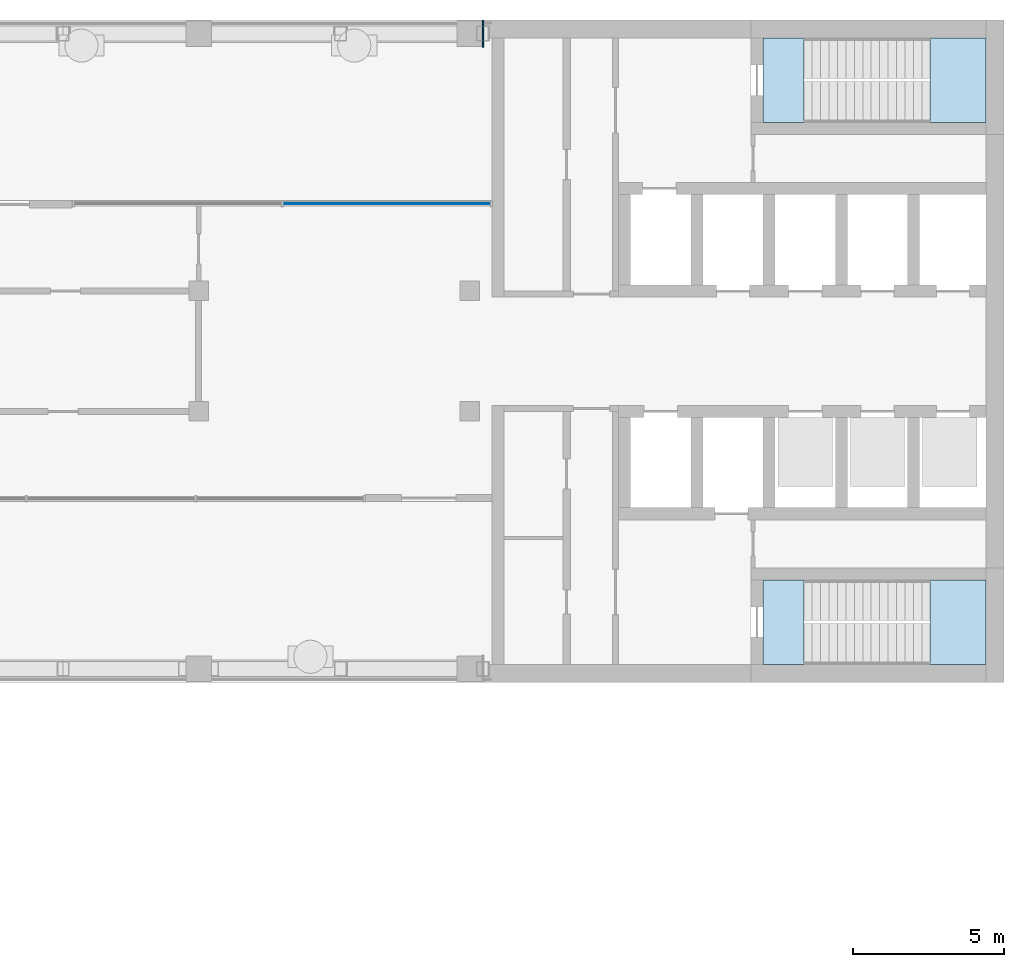
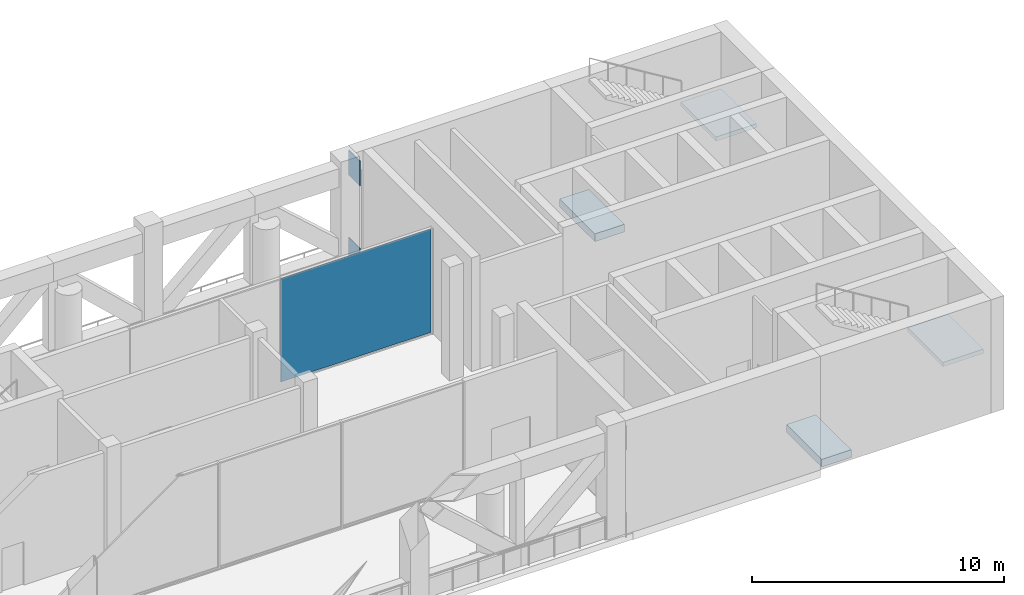
# One storey, part 10 of 19: 4 slabs, 3 plates, 3 elements without a shape of their own.
"""IFC4 building model written with IfcOpenShell, lengths in metres."""

from ifc_helpers import new_model, si_unit, direction, frame, origin, origin_2d, place, context, subcontext, project, spatial, polyline, rectangle, outline, extrude, material, layer, layer_set, type_object, element, aggregate, save


model = new_model("IFC4")

# Units and contexts
model_context = context("Model", 3, precision=1e-05, world=origin(), true_north=direction((0.0, 1.0)))
body_context = subcontext(model_context, "Body", "Model", "MODEL_VIEW")
ifc_project = project(units=[si_unit("LENGTHUNIT", "METRE"), si_unit("AREAUNIT", "SQUARE_METRE"), si_unit("VOLUMEUNIT", "CUBIC_METRE"), si_unit("PLANEANGLEUNIT", "RADIAN"), si_unit("MASSUNIT", "GRAM", prefix="KILO")], contexts=[model_context])

# Site, building, storey
site_placement = place(None, origin())
site = spatial("IfcSite", under=ifc_project, at=site_placement, CompositionType="ELEMENT")
building_placement = place(site_placement, origin())
building = spatial("IfcBuilding", under=site, at=building_placement, Name="Skarvind Civic Tower", CompositionType="ELEMENT")
storey_placement = place(building_placement, frame((0.0, 0.0, 129.0)))
storey = spatial("IfcBuildingStorey", under=building, at=storey_placement, Name="L30", CompositionType="ELEMENT", Elevation=129.0)

# Curtain wall, plate
ifc_material_1 = material(Name="Aluminium alloy 6063 and laminated glass", Category="aluminium")
curtain_wall_type = type_object("IfcCurtainWallType", Name="CW3 SEPARATOR INNER GLAZING", PredefinedType="NOTDEFINED", material=ifc_material_1)
curtain_wall_placement = place(storey_placement, origin())
curtain_wall = element("IfcCurtainWall", 1, at=curtain_wall_placement, inside=storey, type_object=curtain_wall_type, Name="SEPARATOR INNER GLAZING", PredefinedType="NOTDEFINED")
ifc_material_2 = material(Name="Laminated low-iron glass", Category="glass")
ifc_layer_1 = layer(ifc_material_2, 0.031982421875)
ifc_layer_set_1 = layer_set([ifc_layer_1], Name="CW3 GLASS PANEL 32")
plate_type_1 = type_object("IfcPlateType", Name="CW3 GLASS PANEL 32", PredefinedType="CURTAIN_PANEL", material=ifc_layer_set_1)
plate_placement = place(storey_placement, frame((87.49755859375, 132.89990234375, 0.06005859375), z_axis=(0.0, 0.0, 1.0), x_axis=(1.0, 0.0, 0.0)))
plate = element("IfcPlate", 2, at=plate_placement, type_object=plate_type_1, Name="CW3 panel 2.1", PredefinedType="CURTAIN_PANEL", context=body_context, shape_type="SweptSolid", body=[
    extrude(rectangle(XDim=6.885009765625, YDim=0.031982421875, at=origin_2d()), origin(), (0.0, 0.0, 1.0), 5.0048828125),
])
aggregate(curtain_wall, [plate])

# Plates
ifc_material_3 = material(Name="Steel SM355", Category="steel")
ifc_layer_2 = layer(ifc_material_3, 0.0400390625)
ifc_layer_set_2 = layer_set([ifc_layer_2], Name="Cast-in plate 40")
plate_type_2 = type_object("IfcPlateType", Name="Cast-in plate 40", PredefinedType="USERDEFINED", material=ifc_layer_set_2)
for number, where, z_axis, x_axis, name in (
    (3, (90.695068359375, 138.550048828125, -0.14990234375), (0.0, 0.0, 1.0), (1.0, 0.0, 0.0), "Cast-in plate W1N BC 40"),
    (4, (90.695068359375, 138.550048828125, 4.0751953125), (0.0, 0.0, 1.0), (1.0, 0.0, 0.0), "Cast-in plate W1N TC 40"),
):
    element("IfcPlate", number, at=place(storey_placement, frame(where, z_axis=z_axis, x_axis=x_axis)), inside=storey, type_object=plate_type_2, Name=name, ObjectType="CAST-IN PLATE", PredefinedType="USERDEFINED", context=body_context, shape_type="SweptSolid", body=[
        extrude(rectangle(XDim=0.0400390625, YDim=0.89990234375, at=origin_2d()), origin(), (0.0, 0.0, 1.0), 1.199951171875),
    ])

# Slabs
ifc_material_4 = material(Name="Concrete C40/50", Category="concrete")
ifc_layer_3 = layer(ifc_material_4, 0.375)
ifc_layer_set_3 = layer_set([ifc_layer_3], Name="Stair floor landing slab 375")
slab_type_1 = type_object("IfcSlabType", Name="Stair floor landing slab 375", PredefinedType="LANDING", material=ifc_layer_set_3)
slab_1_placement = place(storey_placement, frame((0.0, 0.0, -0.375)))
element("IfcSlab", 5, at=slab_1_placement, inside=storey, type_object=slab_type_1, Name="Stair floor landing", PredefinedType="LANDING", context=body_context, shape_type="SweptSolid", body=[
    extrude(outline(polyline([(101.3505859375, 138.400634765625), (101.3505859375, 135.599365234375), (99.99951171875, 135.599365234375), (99.99951171875, 138.400634765625), (101.3505859375, 138.400634765625)])), origin(), (0.0, 0.0, 1.0), 0.375),
])
slab_2_placement = place(storey_placement, frame((0.0, 0.0, -0.375)))
element("IfcSlab", 6, at=slab_2_placement, inside=storey, type_object=slab_type_1, Name="Stair floor landing", PredefinedType="LANDING", context=body_context, shape_type="SweptSolid", body=[
    extrude(outline(polyline([(101.3505859375, 120.400634765625), (101.3505859375, 117.599365234375), (99.99951171875, 117.599365234375), (99.99951171875, 120.400634765625), (101.3505859375, 120.400634765625)])), origin(), (0.0, 0.0, 1.0), 0.375),
])

# Stair, slab
stair_type = type_object("IfcStairType", Name="Exit stair, half-turn, concrete", PredefinedType="HALF_TURN_STAIR", material=ifc_material_4)
stair_1_placement = place(storey_placement, origin())
stair_1 = element("IfcStair", 7, at=stair_1_placement, inside=storey, type_object=stair_type, Name="Exit stair C1S", PredefinedType="HALF_TURN_STAIR")
ifc_layer_4 = layer(ifc_material_4, 0.199951171875)
ifc_layer_set_4 = layer_set([ifc_layer_4], Name="Stair half landing slab")
slab_type_2 = type_object("IfcSlabType", Name="Stair half landing slab", PredefinedType="LANDING", material=ifc_layer_set_4)
slab_3_placement = place(storey_placement, frame((0.0, 0.0, 2.550048828125)))
slab_3 = element("IfcSlab", 8, at=slab_3_placement, type_object=slab_type_2, Name="ST-C1S landing 1", PredefinedType="LANDING", context=body_context, shape_type="SweptSolid", body=[
    extrude(outline(polyline([(105.54931640625, 135.599365234375), (105.54931640625, 138.400634765625), (107.400634765625, 138.400634765625), (107.400634765625, 135.599365234375), (105.54931640625, 135.599365234375)])), origin(), (0.0, 0.0, 1.0), 0.199951171875),
])
aggregate(stair_1, [slab_3])

stair_2_placement = place(storey_placement, origin())
stair_2 = element("IfcStair", 9, at=stair_2_placement, inside=storey, type_object=stair_type, Name="Exit stair C1N", PredefinedType="HALF_TURN_STAIR")
slab_4_placement = place(storey_placement, frame((0.0, 0.0, 2.550048828125)))
slab_4 = element("IfcSlab", 10, at=slab_4_placement, type_object=slab_type_2, Name="ST-C1N landing 1", PredefinedType="LANDING", context=body_context, shape_type="SweptSolid", body=[
    extrude(outline(polyline([(105.54931640625, 117.599365234375), (105.54931640625, 120.400634765625), (107.400634765625, 120.400634765625), (107.400634765625, 117.599365234375), (105.54931640625, 117.599365234375)])), origin(), (0.0, 0.0, 1.0), 0.199951171875),
])
aggregate(stair_2, [slab_4])

save(model, "model.ifc")
